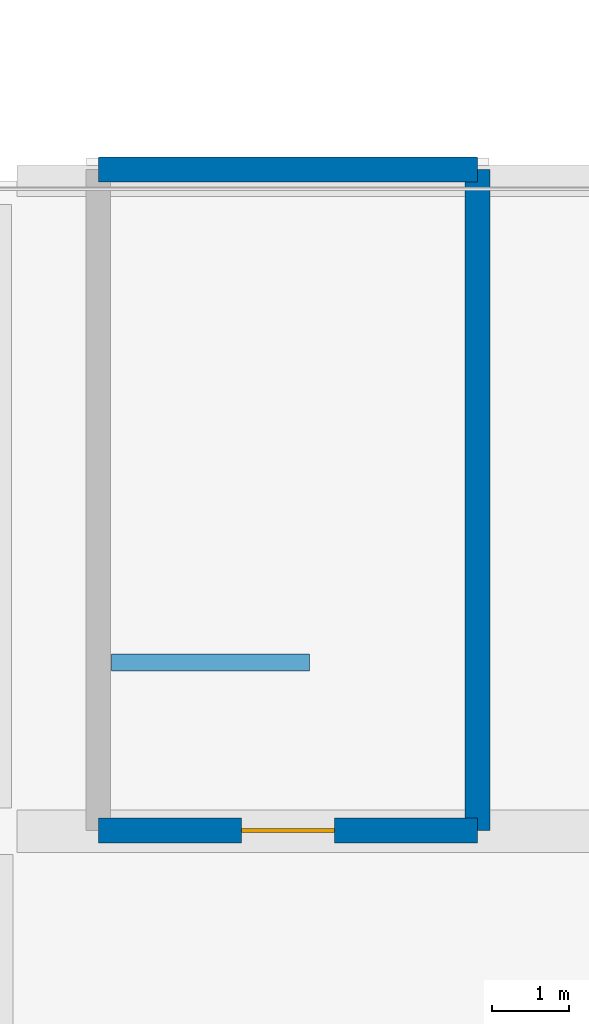
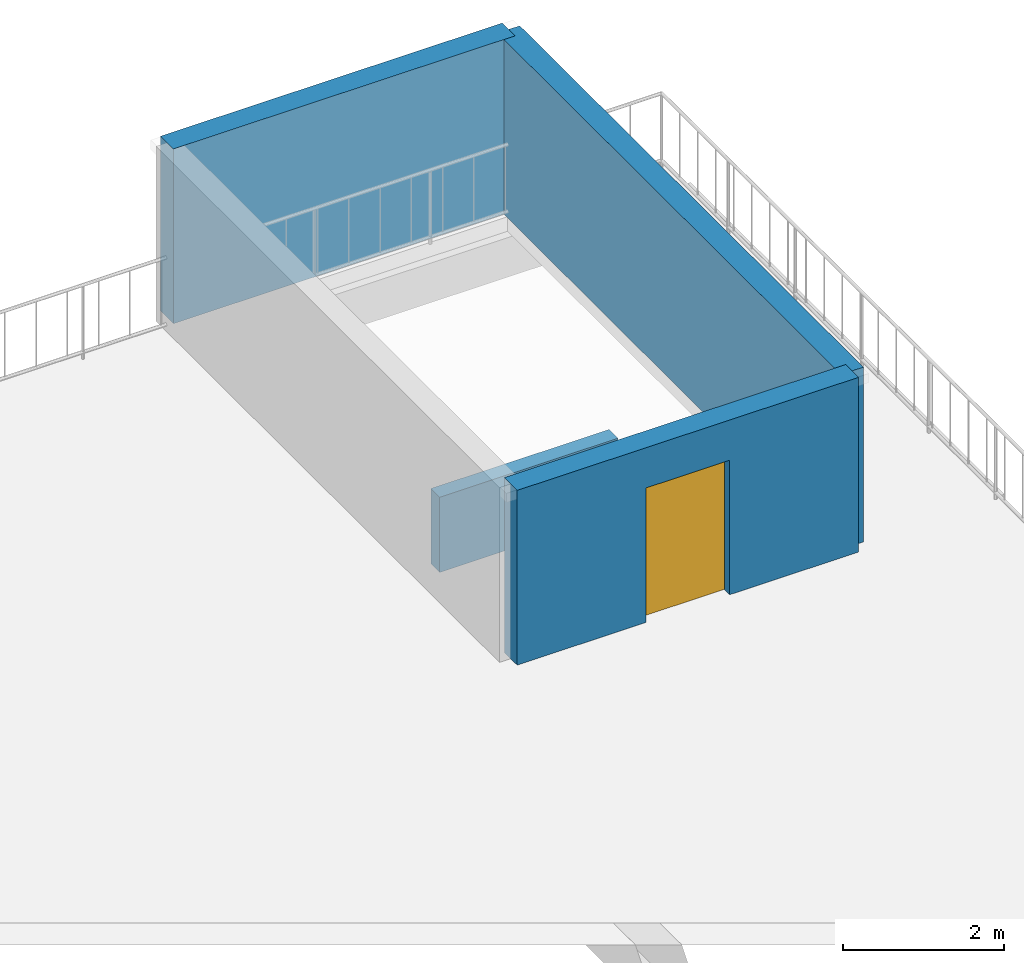
# One storey, part 22 of 26: 4 walls, 1 door, 1 opening.
"""IFC4 building model written with IfcOpenShell, lengths in metres."""

from ifc_helpers import new_model, si_unit, derived_unit, direction, frame, frame_2d, origin, place, context, subcontext, project, spatial, rectangle, extrude, material, layer, layer_set, type_object, element, fill, save


model = new_model("IFC4")

# Units and contexts
model_context = context("Model", 3, precision=1e-05, world=origin(), true_north=direction((0.0, 1.0)))
body_context = subcontext(model_context, "Body", "Model", "MODEL_VIEW")
ifc_project = project(units=[si_unit("LENGTHUNIT", "METRE"), si_unit("AREAUNIT", "SQUARE_METRE"), si_unit("VOLUMEUNIT", "CUBIC_METRE"), si_unit("PLANEANGLEUNIT", "RADIAN"), si_unit("MASSUNIT", "GRAM", prefix="KILO"), derived_unit("THERMALTRANSMITTANCEUNIT", [(si_unit("POWERUNIT", "WATT"), 1), (si_unit("LENGTHUNIT", "METRE"), -2), (si_unit("THERMODYNAMICTEMPERATUREUNIT", "KELVIN"), -1)])], contexts=[model_context])

# Site, building, storey
site_placement = place(None, origin())
site = spatial("IfcSite", under=ifc_project, at=site_placement, CompositionType="ELEMENT")
building_placement = place(site_placement, origin())
building = spatial("IfcBuilding", under=site, at=building_placement, Name="Barrovel Congress Hotel", CompositionType="ELEMENT")
storey_placement = place(building_placement, frame((0.0, 0.0, 32.699951171875)))
storey = spatial("IfcBuildingStorey", under=building, at=storey_placement, Name="L08", CompositionType="ELEMENT", Elevation=32.699951171875)

# Wall, opening, door
ifc_material_1 = material(Name="Fired Clay Brick Masonry", Category="masonry")
ifc_layer_1 = layer(ifc_material_1, 0.320068359375)
ifc_layer_set_1 = layer_set([ifc_layer_1], Name="Fired Clay Brick Masonry")
wall_type_1 = type_object("IfcWallType", Name="EW-BRK320", PredefinedType="STANDARD", material=ifc_layer_set_1)
wall_1_placement = place(storey_placement, frame((144.14990234375, 12.610107421875, 0.0), z_axis=(0.0, 0.0, 1.0), x_axis=(1.0, 0.0, 0.0)))
wall_1 = element("IfcWall", 1, at=wall_1_placement, inside=storey, type_object=wall_type_1, Name="HHW:XS-04:S", PredefinedType="STANDARD", context=body_context, shape_type="SweptSolid", body=[
    extrude(rectangle(XDim=4.900146484375, YDim=0.320068359375, at=frame_2d((2.4501953125, 0.0))), origin(), (0.0, 0.0, 1.0), 2.650146484375),
])
opening_placement = place(wall_1_placement, frame((3.050048828125, 0.0, 0.0), z_axis=(0.0, 0.0, 1.0), x_axis=(-1.0, 0.0, 0.0)))
opening = element("IfcOpeningElement", 2, at=opening_placement, cuts=wall_1, Name="Opening TD-02", PredefinedType="OPENING", context=body_context, shape_type="SweptSolid", body=[
    extrude(rectangle(XDim=1.199951171875, YDim=2.0400390625, at=frame_2d((0.60009765625, 1.02001953125))), frame((0.0, 0.169921875, 0.0), z_axis=(0.0, -1.0, 0.0), x_axis=(1.0, 0.0, 0.0)), (0.0, 0.0, 1.0), 0.340087890625),
])
ifc_material_2 = material(Name="Painted Hollow-Metal Steel Door", Category="steel")
door_type = type_object("IfcDoorType", Name="EDR-TD-02", OperationType="NOTDEFINED", PredefinedType="TRAPDOOR", material=ifc_material_2)
door_placement = place(opening_placement, origin())
door = element("IfcDoor", 3, at=door_placement, inside=storey, type_object=door_type, Name="Roof Maintenance Access Hatch Door XS-04", OperationType="SINGLE_SWING_RIGHT", OverallHeight=2.0400390625, OverallWidth=1.199951171875, PredefinedType="TRAPDOOR", context=body_context, shape_type="SweptSolid", body=[
    extrude(rectangle(XDim=1.199951171875, YDim=2.0400390625, at=frame_2d((0.60009765625, 1.02001953125))), frame((0.0, 0.02490234375, 0.0), z_axis=(0.0, -1.0, 0.0), x_axis=(1.0, 0.0, 0.0)), (0.0, 0.0, 1.0), 0.050048828125),
])
fill(opening, door)

# Walls
wall_2_placement = place(storey_placement, frame((149.050048828125, 12.610107421875, 0.0), z_axis=(0.0, 0.0, 1.0), x_axis=(0.0, 1.0, 0.0)))
element("IfcWall", 4, at=wall_2_placement, inside=storey, type_object=wall_type_1, Name="HHW:XS-04:E", PredefinedType="STANDARD", context=body_context, shape_type="SweptSolid", body=[
    extrude(rectangle(XDim=8.539794921875, YDim=0.320068359375, at=frame_2d((4.27001953125, 0.0))), origin(), (0.0, 0.0, 1.0), 2.650146484375),
])
wall_3_placement = place(storey_placement, frame((149.050048828125, 21.14990234375, 0.0), z_axis=(0.0, 0.0, 1.0), x_axis=(-1.0, 0.0, 0.0)))
element("IfcWall", 5, at=wall_3_placement, inside=storey, type_object=wall_type_1, Name="HHW:XS-04:N", PredefinedType="STANDARD", context=body_context, shape_type="SweptSolid", body=[
    extrude(rectangle(XDim=4.900146484375, YDim=0.320068359375, at=frame_2d((2.4501953125, 0.0))), origin(), (0.0, 0.0, 1.0), 2.650146484375),
])
ifc_layer_2 = layer(ifc_material_1, 0.219970703125)
ifc_layer_set_2 = layer_set([ifc_layer_2], Name="Fired Clay Brick Masonry")
wall_type_2 = type_object("IfcWallType", Name="EW-PAR220", PredefinedType="PARAPET", material=ifc_layer_set_2)
wall_4_placement = place(storey_placement, frame((144.320068359375, 14.780029296875, 0.0), z_axis=(0.0, 0.0, 1.0), x_axis=(1.0, 0.0, 0.0)))
element("IfcWall", 6, at=wall_4_placement, inside=storey, type_object=wall_type_2, Name="STAIR:XS-04:TOP-GR", PredefinedType="PARAPET", context=body_context, shape_type="SweptSolid", body=[
    extrude(rectangle(XDim=2.559814453125, YDim=0.219970703125, at=frame_2d((1.27978515625, 0.0))), origin(), (0.0, 0.0, 1.0), 1.14013671875),
])

save(model, "model.ifc")
